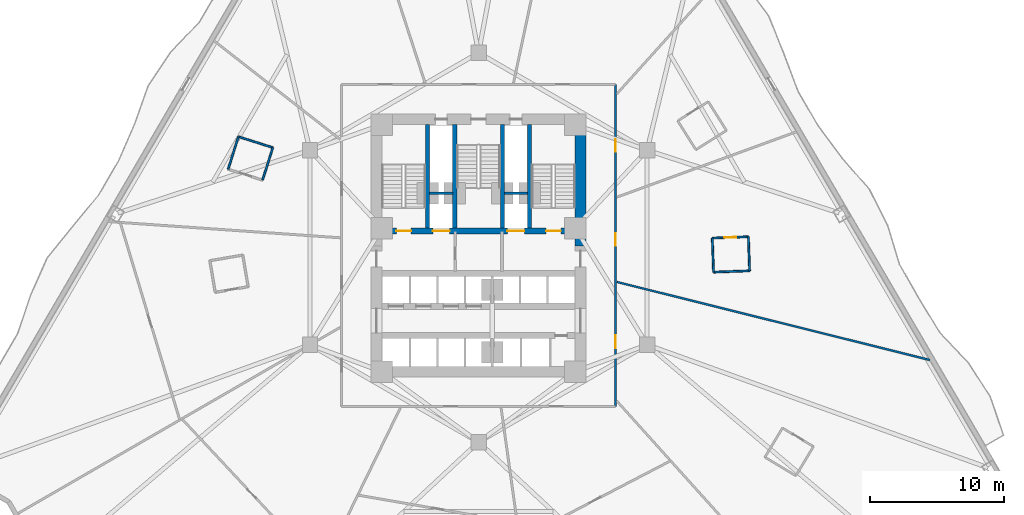
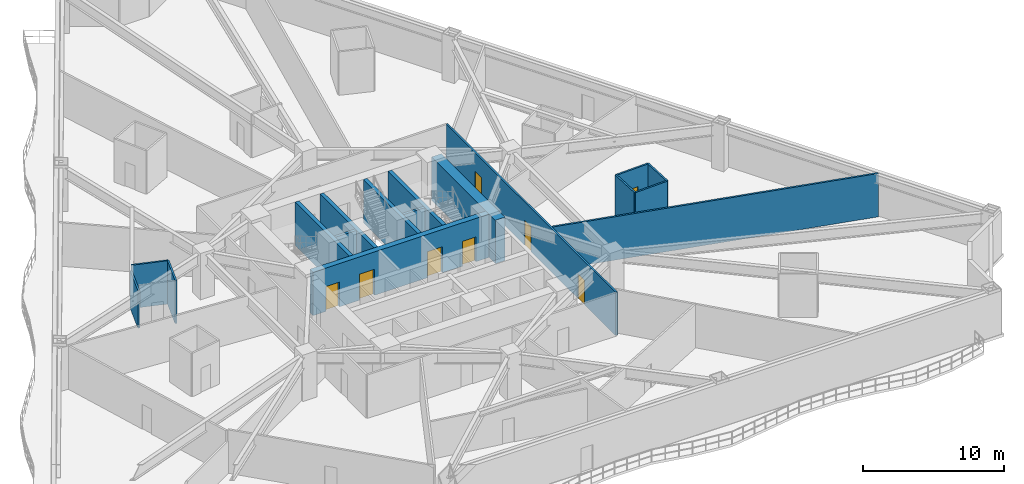
# One storey, part 5 of 12: 17 walls, 8 doors, 8 openings.
"""IFC4 building model written with IfcOpenShell, lengths in metres."""

from ifc_helpers import new_model, si_unit, direction, frame, frame_2d, origin, place, context, subcontext, project, spatial, rectangle, extrude, material, layer, layer_set, type_object, element, fill, save


model = new_model("IFC4")

# Units and contexts
model_context = context("Model", 3, precision=1e-05, world=origin(), true_north=direction((0.0, 1.0)))
body_context = subcontext(model_context, "Body", "Model", "MODEL_VIEW")
ifc_project = project(units=[si_unit("LENGTHUNIT", "METRE"), si_unit("AREAUNIT", "SQUARE_METRE"), si_unit("VOLUMEUNIT", "CUBIC_METRE"), si_unit("PLANEANGLEUNIT", "RADIAN"), si_unit("MASSUNIT", "GRAM", prefix="KILO")], contexts=[model_context])

# Site, building, storey
site_placement = place(None, origin())
site = spatial("IfcSite", under=ifc_project, at=site_placement, CompositionType="ELEMENT")
building_placement = place(site_placement, origin())
building = spatial("IfcBuilding", under=site, at=building_placement, Name="Apsidion Concourse Tower", CompositionType="ELEMENT")
storey_placement = place(building_placement, frame((0.0, 0.0, 50.39990234375)))
storey = spatial("IfcBuildingStorey", under=building, at=storey_placement, Name="L10", CompositionType="ELEMENT", Elevation=50.39990234375)

# Walls
ifc_material_1 = material(Name="Gypsum plasterboard partition")
ifc_layer_1 = layer(ifc_material_1, 0.139892578125)
ifc_layer_set_1 = layer_set([ifc_layer_1], Name="Gypsum plasterboard partition")
wall_type_1 = type_object("IfcWallType", Name="WL-INT-PAR-140", PredefinedType="PARTITIONING", material=ifc_layer_set_1)
wall_1_placement = place(storey_placement, frame((17.50830078125, -1.837646484375, 0.0), z_axis=(0.0, 0.0, 1.0), x_axis=(0.999327457394, 0.036669236402, 0.0)))
element("IfcWall", 1, at=wall_1_placement, inside=storey, type_object=wall_type_1, Name="L10 Interior Partition WL-L10-POD-ENS05-S1", PredefinedType="PARTITIONING", context=body_context, shape_type="SweptSolid", body=[
    extrude(rectangle(XDim=2.689697265625, YDim=0.139892578125, at=frame_2d((1.3447265625, 0.0))), origin(), (0.0, 0.0, 1.0), 3.75),
])
wall_2_placement = place(storey_placement, frame((20.1962890625, -1.739013671875, 0.0), z_axis=(0.0, 0.0, 1.0), x_axis=(-0.03662060601, 0.999329240649, 0.0)))
element("IfcWall", 2, at=wall_2_placement, inside=storey, type_object=wall_type_1, Name="L10 Interior Partition WL-L10-POD-ENS05-S2", PredefinedType="PARTITIONING", context=body_context, shape_type="SweptSolid", body=[
    extrude(rectangle(XDim=2.5400390625, YDim=0.139892578125, at=frame_2d((1.27001953125, 0.0))), origin(), (0.0, 0.0, 1.0), 3.75),
])

# Wall, opening, door
wall_3_placement = place(storey_placement, frame((20.103271484375, 0.79931640625, 0.0), z_axis=(0.0, 0.0, 1.0), x_axis=(-0.999327579424, -0.036665910643, 0.0)))
wall_3 = element("IfcWall", 3, at=wall_3_placement, inside=storey, type_object=wall_type_1, Name="L10 Interior Partition WL-L10-POD-ENS05-S3", PredefinedType="PARTITIONING", context=body_context, shape_type="SweptSolid", body=[
    extrude(rectangle(XDim=2.68994140625, YDim=0.139892578125, at=frame_2d((1.344970703125, 0.0))), origin(), (0.0, 0.0, 1.0), 3.75),
])
opening_1_placement = place(wall_3_placement, frame((0.905029296875, 0.0, 0.0)))
opening_1 = element("IfcOpeningElement", 4, at=opening_1_placement, cuts=wall_3, Name="Opening D-03R", PredefinedType="OPENING", context=body_context, shape_type="SweptSolid", body=[
    extrude(rectangle(XDim=0.8798828125, YDim=2.10009765625, at=frame_2d((0.43994140625, 1.050048828125))), frame((0.0, 0.080078125, 0.0), z_axis=(0.0, -1.0, 0.0), x_axis=(1.0, 0.0, 0.0)), (0.0, 0.0, 1.0), 0.159912109375),
])
ifc_material_2 = material(Name="Anodised aluminium EN AW-6063 T6", Category="aluminium")
door_type_1 = type_object("IfcDoorType", Name="DR-INT-D03R", OperationType="SINGLE_SWING_RIGHT", PredefinedType="DOOR", material=ifc_material_2)
door_1_placement = place(opening_1_placement, origin())
door_1 = element("IfcDoor", 5, at=door_1_placement, inside=storey, type_object=door_type_1, Name="L10 Guest En-Suite Bathroom Door ENS05", OperationType="SINGLE_SWING_RIGHT", OverallHeight=2.10009765625, OverallWidth=0.8798828125, PredefinedType="DOOR", context=body_context, shape_type="SweptSolid", body=[
    extrude(rectangle(XDim=0.8798828125, YDim=2.10009765625, at=frame_2d((0.43994140625, 1.050048828125))), frame((0.0, 0.02490234375, 0.0), z_axis=(0.0, -1.0, 0.0), x_axis=(1.0, 0.0, 0.0)), (0.0, 0.0, 1.0), 0.050048828125),
])
fill(opening_1, door_1)

# Walls
wall_4_placement = place(storey_placement, frame((17.4150390625, 0.70068359375, 0.0), z_axis=(0.0, 0.0, 1.0), x_axis=(0.036716593679, -0.999325718547, 0.0)))
element("IfcWall", 6, at=wall_4_placement, inside=storey, type_object=wall_type_1, Name="L10 Interior Partition WL-L10-POD-ENS05-S4", PredefinedType="PARTITIONING", context=body_context, shape_type="SweptSolid", body=[
    extrude(rectangle(XDim=2.5400390625, YDim=0.139892578125, at=frame_2d((1.27001953125, 0.0))), origin(), (0.0, 0.0, 1.0), 3.75),
])
wall_5_placement = place(storey_placement, frame((-15.328125, 7.439697265625, 0.0), z_axis=(0.0, 0.0, 1.0), x_axis=(-0.953201932401, 0.302334377912, 0.0)))
element("IfcWall", 7, at=wall_5_placement, inside=storey, type_object=wall_type_1, Name="L10 Interior Partition WL-L10-POD-ENS10-S1", PredefinedType="PARTITIONING", context=body_context, shape_type="SweptSolid", body=[
    extrude(rectangle(XDim=2.68994140625, YDim=0.139892578125, at=frame_2d((1.344970703125, 0.0))), origin(), (0.0, 0.0, 1.0), 3.75),
])
wall_6_placement = place(storey_placement, frame((-17.89208984375, 8.2529296875, 0.0), z_axis=(0.0, 0.0, 1.0), x_axis=(-0.302469641391, -0.953159019281, 0.0)))
element("IfcWall", 8, at=wall_6_placement, inside=storey, type_object=wall_type_1, Name="L10 Interior Partition WL-L10-POD-ENS10-S2", PredefinedType="PARTITIONING", context=body_context, shape_type="SweptSolid", body=[
    extrude(rectangle(XDim=2.5400390625, YDim=0.139892578125, at=frame_2d((1.27001953125, 0.0))), origin(), (0.0, 0.0, 1.0), 3.254150390625),
])
wall_7_placement = place(storey_placement, frame((-16.09619140625, 5.0185546875, 0.0), z_axis=(0.0, 0.0, 1.0), x_axis=(0.302382317173, 0.953186725811, 0.0)))
element("IfcWall", 9, at=wall_7_placement, inside=storey, type_object=wall_type_1, Name="L10 Interior Partition WL-L10-POD-ENS10-S4", PredefinedType="PARTITIONING", context=body_context, shape_type="SweptSolid", body=[
    extrude(rectangle(XDim=2.5400390625, YDim=0.139892578125, at=frame_2d((1.27001953125, 0.0))), origin(), (0.0, 0.0, 1.0), 3.75),
])

# Wall, openings, doors
ifc_layer_2 = layer(ifc_material_1, 0.14990234375)
ifc_layer_set_2 = layer_set([ifc_layer_2], Name="Gypsum plasterboard partition")
wall_type_2 = type_object("IfcWallType", Name="WL-INT-PAR-150", PredefinedType="PARTITIONING", material=ifc_layer_set_2)
wall_8_placement = place(storey_placement, frame((10.199951171875, 12.14990234375, 0.0), z_axis=(0.0, 0.0, 1.0), x_axis=(0.0, -1.0, 0.0)))
wall_8 = element("IfcWall", 10, at=wall_8_placement, inside=storey, type_object=wall_type_2, Name="L10 Interior Partition WL-L10-CORR-02", PredefinedType="PARTITIONING", context=body_context, shape_type="SweptSolid", body=[
    extrude(rectangle(XDim=24.0, YDim=0.14990234375, at=frame_2d((12.0, 0.0))), origin(), (0.0, 0.0, 1.0), 3.75),
])
opening_2_placement = place(wall_8_placement, frame((18.69140625, 0.0, 0.0)))
opening_2 = element("IfcOpeningElement", 11, at=opening_2_placement, cuts=wall_8, Name="Opening D-01L", PredefinedType="OPENING", context=body_context, shape_type="SweptSolid", body=[
    extrude(rectangle(XDim=0.949951171875, YDim=2.14990234375, at=frame_2d((0.47509765625, 1.074951171875))), frame((0.0, 0.0849609375, 0.0), z_axis=(0.0, -1.0, 0.0), x_axis=(1.0, 0.0, 0.0)), (0.0, 0.0, 1.0), 0.169921875),
])
opening_3_placement = place(wall_8_placement, frame((11.085693359375, 0.0, 0.0)))
opening_3 = element("IfcOpeningElement", 12, at=opening_3_placement, cuts=wall_8, Name="Opening D-01R", PredefinedType="OPENING", context=body_context, shape_type="SweptSolid", body=[
    extrude(rectangle(XDim=0.949951171875, YDim=2.14990234375, at=frame_2d((0.47509765625, 1.074951171875))), frame((0.0, 0.0849609375, 0.0), z_axis=(0.0, -1.0, 0.0), x_axis=(1.0, 0.0, 0.0)), (0.0, 0.0, 1.0), 0.169921875),
])
opening_4_placement = place(wall_8_placement, frame((4.068115234375, 0.0, 0.0)))
opening_4 = element("IfcOpeningElement", 13, at=opening_4_placement, cuts=wall_8, Name="Opening D-01L", PredefinedType="OPENING", context=body_context, shape_type="SweptSolid", body=[
    extrude(rectangle(XDim=0.949951171875, YDim=2.14990234375, at=frame_2d((0.47509765625, 1.074951171875))), frame((0.0, 0.0849609375, 0.0), z_axis=(0.0, -1.0, 0.0), x_axis=(1.0, 0.0, 0.0)), (0.0, 0.0, 1.0), 0.169921875),
])
ifc_material_3 = material(Name="Brushed stainless steel 316", Category="steel")
door_type_2 = type_object("IfcDoorType", Name="DR-INT-D01L", OperationType="SINGLE_SWING_LEFT", PredefinedType="DOOR", material=ifc_material_3)
door_2_placement = place(opening_2_placement, origin())
door_2 = element("IfcDoor", 14, at=door_2_placement, inside=storey, type_object=door_type_2, Name="L10 Corridor Entry Door 05", OperationType="SINGLE_SWING_LEFT", OverallHeight=2.14990234375, OverallWidth=0.949951171875, PredefinedType="DOOR", context=body_context, shape_type="SweptSolid", body=[
    extrude(rectangle(XDim=0.949951171875, YDim=2.14990234375, at=frame_2d((0.47509765625, 1.074951171875))), frame((0.0, 0.02490234375, 0.0), z_axis=(0.0, -1.0, 0.0), x_axis=(1.0, 0.0, 0.0)), (0.0, 0.0, 1.0), 0.050048828125),
])
fill(opening_2, door_2)
door_3_placement = place(opening_4_placement, origin())
door_3 = element("IfcDoor", 15, at=door_3_placement, inside=storey, type_object=door_type_2, Name="L10 Corridor Entry Door 07", OperationType="SINGLE_SWING_LEFT", OverallHeight=2.14990234375, OverallWidth=0.949951171875, PredefinedType="DOOR", context=body_context, shape_type="SweptSolid", body=[
    extrude(rectangle(XDim=0.949951171875, YDim=2.14990234375, at=frame_2d((0.47509765625, 1.074951171875))), frame((0.0, 0.02490234375, 0.0), z_axis=(0.0, -1.0, 0.0), x_axis=(1.0, 0.0, 0.0)), (0.0, 0.0, 1.0), 0.050048828125),
])
fill(opening_4, door_3)
door_type_3 = type_object("IfcDoorType", Name="DR-INT-D01R", OperationType="SINGLE_SWING_RIGHT", PredefinedType="DOOR", material=ifc_material_3)
door_4_placement = place(opening_3_placement, origin())
door_4 = element("IfcDoor", 16, at=door_4_placement, inside=storey, type_object=door_type_3, Name="L10 Corridor Entry Door 06", OperationType="SINGLE_SWING_RIGHT", OverallHeight=2.14990234375, OverallWidth=0.949951171875, PredefinedType="DOOR", context=body_context, shape_type="SweptSolid", body=[
    extrude(rectangle(XDim=0.949951171875, YDim=2.14990234375, at=frame_2d((0.47509765625, 1.074951171875))), frame((0.0, 0.02490234375, 0.0), z_axis=(0.0, -1.0, 0.0), x_axis=(1.0, 0.0, 0.0)), (0.0, 0.0, 1.0), 0.050048828125),
])
fill(opening_3, door_4)

# Walls
wall_9_placement = place(storey_placement, frame((10.304931640625, -2.5693359375, 0.0), z_axis=(0.0, 0.0, 1.0), x_axis=(0.970295876138, -0.241921294536, 0.0)))
element("IfcWall", 17, at=wall_9_placement, inside=storey, type_object=wall_type_2, Name="L10 Interior Partition WL-L10-RAD-11-1", PredefinedType="PARTITIONING", context=body_context, shape_type="SweptSolid", body=[
    extrude(rectangle(XDim=24.033447265625, YDim=0.14990234375, at=frame_2d((12.0166015625, 0.0))), origin(), (0.0, 0.0, 1.0), 3.75),
])
ifc_layer_3 = layer(ifc_material_1, 0.199951171875)
ifc_layer_set_3 = layer_set([ifc_layer_3], Name="Gypsum plasterboard partition")
wall_type_3 = type_object("IfcWallType", Name="WL-INT-PAR-200", PredefinedType="PARTITIONING", material=ifc_layer_set_3)
for number, where, z_axis, x_axis, name in (
    (18, (-3.64990234375, 4.050048828125, 0.0), (0.0, 0.0, 1.0), (1.0, 0.0, 0.0), "L10 Interior Partition WL-L10-FF1-N"),
    (19, (1.919921875, 4.050048828125, 0.0), (0.0, 0.0, 1.0), (1.0, 0.0, 0.0), "L10 Interior Partition WL-L10-FF2-N"),
):
    element("IfcWall", number, at=place(storey_placement, frame(where, z_axis=z_axis, x_axis=x_axis)), inside=storey, type_object=wall_type_3, Name=name, PredefinedType="PARTITIONING", context=body_context, shape_type="SweptSolid", body=[
        extrude(rectangle(XDim=1.72998046875, YDim=0.199951171875, at=frame_2d((0.864990234375, 0.0))), origin(), (0.0, 0.0, 1.0), 3.75),
    ])
ifc_material_4 = material(Name="Concrete C50/60", Category="concrete")
ifc_layer_4 = layer(ifc_material_4, 0.300048828125)
ifc_layer_set_4 = layer_set([ifc_layer_4], Name="Concrete C50/60")
wall_type_4 = type_object("IfcWallType", Name="WL-SH-300", PredefinedType="SHEAR", material=ifc_layer_set_4)
for number, where, z_axis, x_axis, name in (
    (20, (-3.800048828125, 1.449951171875, 0.0), (0.0, 0.0, 1.0), (0.0, 1.0, 0.0), "L10 Central Core Shear Wall V1"),
    (21, (-1.77490234375, 1.449951171875, 0.0), (0.0, 0.0, 1.0), (0.0, 1.0, 0.0), "L10 Central Core Shear Wall V2"),
    (22, (1.77490234375, 1.449951171875, 0.0), (0.0, 0.0, 1.0), (0.0, 1.0, 0.0), "L10 Central Core Shear Wall V3"),
    (23, (3.800048828125, 1.449951171875, 0.0), (0.0, 0.0, 1.0), (0.0, 1.0, 0.0), "L10 Central Core Shear Wall V4"),
):
    element("IfcWall", number, at=place(storey_placement, frame(where, z_axis=z_axis, x_axis=x_axis)), inside=storey, type_object=wall_type_4, Name=name, PredefinedType="SHEAR", context=body_context, shape_type="SweptSolid", body=[
        extrude(rectangle(XDim=7.699951171875, YDim=0.300048828125, at=frame_2d((3.85009765625, 0.0))), origin(), (0.0, 0.0, 1.0), 3.75),
    ])

# Wall, openings, doors
ifc_material_5 = material(Name="Concrete C60/75", Category="concrete")
ifc_layer_5 = layer(ifc_material_5, 0.449951171875)
ifc_layer_set_5 = layer_set([ifc_layer_5], Name="Concrete C60/75")
wall_type_5 = type_object("IfcWallType", Name="WL-SH-450", PredefinedType="SHEAR", material=ifc_layer_set_5)
wall_10_placement = place(storey_placement, frame((-7.199951171875, 1.22509765625, 0.0), z_axis=(0.0, 0.0, 1.0), x_axis=(1.0, 0.0, 0.0)))
wall_10 = element("IfcWall", 24, at=wall_10_placement, inside=storey, type_object=wall_type_5, Name="L10 Central Core Shear Wall M1", PredefinedType="SHEAR", context=body_context, shape_type="SweptSolid", body=[
    extrude(rectangle(XDim=14.39990234375, YDim=0.449951171875, at=frame_2d((7.199951171875, 0.0))), origin(), (0.0, 0.0, 1.0), 3.75),
])
opening_5_placement = place(wall_10_placement, frame((3.794921875, 0.0, 0.0)))
opening_5 = element("IfcOpeningElement", 25, at=opening_5_placement, cuts=wall_10, Name="Opening LD-FF", PredefinedType="OPENING", context=body_context, shape_type="SweptSolid", body=[
    extrude(rectangle(XDim=1.25, YDim=2.25, at=frame_2d((0.625, 1.125))), frame((0.0, 0.23486328125, 0.0), z_axis=(0.0, -1.0, 0.0), x_axis=(1.0, 0.0, 0.0)), (0.0, 0.0, 1.0), 0.469970703125),
])
opening_6_placement = place(wall_10_placement, frame((9.35498046875, 0.0, 0.0)))
opening_6 = element("IfcOpeningElement", 26, at=opening_6_placement, cuts=wall_10, Name="Opening LD-FF", PredefinedType="OPENING", context=body_context, shape_type="SweptSolid", body=[
    extrude(rectangle(XDim=1.25, YDim=2.25, at=frame_2d((0.625, 1.125))), frame((0.0, 0.23486328125, 0.0), z_axis=(0.0, -1.0, 0.0), x_axis=(1.0, 0.0, 0.0)), (0.0, 0.0, 1.0), 0.469970703125),
])
opening_7_placement = place(wall_10_placement, frame((1.074951171875, 0.0, 0.0)))
opening_7 = element("IfcOpeningElement", 27, at=opening_7_placement, cuts=wall_10, Name="Opening D-STL", PredefinedType="OPENING", context=body_context, shape_type="SweptSolid", body=[
    extrude(rectangle(XDim=1.10009765625, YDim=2.14990234375, at=frame_2d((0.550048828125, 1.074951171875))), frame((0.0, 0.23486328125, 0.0), z_axis=(0.0, -1.0, 0.0), x_axis=(1.0, 0.0, 0.0)), (0.0, 0.0, 1.0), 0.469970703125),
])
opening_8_placement = place(wall_10_placement, frame((12.22509765625, 0.0, 0.0)))
opening_8 = element("IfcOpeningElement", 28, at=opening_8_placement, cuts=wall_10, Name="Opening D-STR", PredefinedType="OPENING", context=body_context, shape_type="SweptSolid", body=[
    extrude(rectangle(XDim=1.10009765625, YDim=2.14990234375, at=frame_2d((0.550048828125, 1.074951171875))), frame((0.0, 0.23486328125, 0.0), z_axis=(0.0, -1.0, 0.0), x_axis=(1.0, 0.0, 0.0)), (0.0, 0.0, 1.0), 0.469970703125),
])
door_type_4 = type_object("IfcDoorType", Name="DR-INT-ST1L", OperationType="SINGLE_SWING_LEFT", PredefinedType="DOOR", material=ifc_material_3)
door_5_placement = place(opening_7_placement, origin())
door_5 = element("IfcDoor", 29, at=door_5_placement, inside=storey, type_object=door_type_4, Name="L10 Core Exit Stair ST1 Door", OperationType="SINGLE_SWING_LEFT", OverallHeight=2.14990234375, OverallWidth=1.10009765625, PredefinedType="DOOR", context=body_context, shape_type="SweptSolid", body=[
    extrude(rectangle(XDim=1.10009765625, YDim=2.14990234375, at=frame_2d((0.550048828125, 1.074951171875))), frame((0.0, 0.02490234375, 0.0), z_axis=(0.0, -1.0, 0.0), x_axis=(1.0, 0.0, 0.0)), (0.0, 0.0, 1.0), 0.050048828125),
])
fill(opening_7, door_5)
door_type_5 = type_object("IfcDoorType", Name="DR-INT-ST1R", OperationType="SINGLE_SWING_RIGHT", PredefinedType="DOOR", material=ifc_material_3)
door_6_placement = place(opening_8_placement, origin())
door_6 = element("IfcDoor", 30, at=door_6_placement, inside=storey, type_object=door_type_5, Name="L10 Core Exit Stair ST2 Door", OperationType="SINGLE_SWING_RIGHT", OverallHeight=2.14990234375, OverallWidth=1.10009765625, PredefinedType="DOOR", context=body_context, shape_type="SweptSolid", body=[
    extrude(rectangle(XDim=1.10009765625, YDim=2.14990234375, at=frame_2d((0.550048828125, 1.074951171875))), frame((0.0, 0.02490234375, 0.0), z_axis=(0.0, -1.0, 0.0), x_axis=(1.0, 0.0, 0.0)), (0.0, 0.0, 1.0), 0.050048828125),
])
fill(opening_8, door_6)
door_type_6 = type_object("IfcDoorType", Name="DR-LD-FSAE", OperationType="DOUBLE_DOOR_SLIDING", PredefinedType="DOOR", material=ifc_material_3)
door_7_placement = place(opening_5_placement, origin())
door_7 = element("IfcDoor", 31, at=door_7_placement, inside=storey, type_object=door_type_6, Name="L10 Lift Landing Door FF1", OperationType="DOUBLE_DOOR_SLIDING", OverallHeight=2.25, OverallWidth=1.25, PredefinedType="DOOR", context=body_context, shape_type="SweptSolid", body=[
    extrude(rectangle(XDim=1.25, YDim=2.25, at=frame_2d((0.625, 1.125))), frame((0.0, 0.02490234375, 0.0), z_axis=(0.0, -1.0, 0.0), x_axis=(1.0, 0.0, 0.0)), (0.0, 0.0, 1.0), 0.050048828125),
])
fill(opening_5, door_7)
door_8_placement = place(opening_6_placement, origin())
door_8 = element("IfcDoor", 32, at=door_8_placement, inside=storey, type_object=door_type_6, Name="L10 Lift Landing Door FF2", OperationType="DOUBLE_DOOR_SLIDING", OverallHeight=2.25, OverallWidth=1.25, PredefinedType="DOOR", context=body_context, shape_type="SweptSolid", body=[
    extrude(rectangle(XDim=1.25, YDim=2.25, at=frame_2d((0.625, 1.125))), frame((0.0, 0.02490234375, 0.0), z_axis=(0.0, -1.0, 0.0), x_axis=(1.0, 0.0, 0.0)), (0.0, 0.0, 1.0), 0.050048828125),
])
fill(opening_6, door_8)

# Wall
ifc_layer_6 = layer(ifc_material_5, 0.800048828125)
ifc_layer_set_6 = layer_set([ifc_layer_6], Name="Concrete C60/75")
wall_type_6 = type_object("IfcWallType", Name="WL-SH-800", PredefinedType="SHEAR", material=ifc_layer_set_6)
wall_11_placement = place(storey_placement, frame((7.60009765625, 0.10009765625, 0.0), z_axis=(0.0, 0.0, 1.0), x_axis=(0.0, 1.0, 0.0)))
element("IfcWall", 33, at=wall_11_placement, inside=storey, type_object=wall_type_6, Name="L10 Central Core Shear Wall EN", PredefinedType="SHEAR", context=body_context, shape_type="SweptSolid", body=[
    extrude(rectangle(XDim=9.0498046875, YDim=0.800048828125, at=frame_2d((4.52490234375, 0.0))), origin(), (0.0, 0.0, 1.0), 3.75),
])

save(model, "model.ifc")
